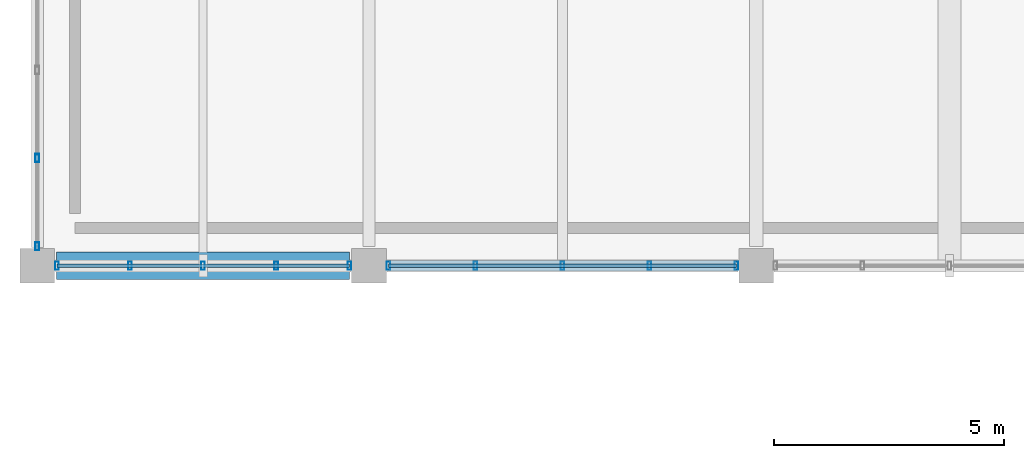
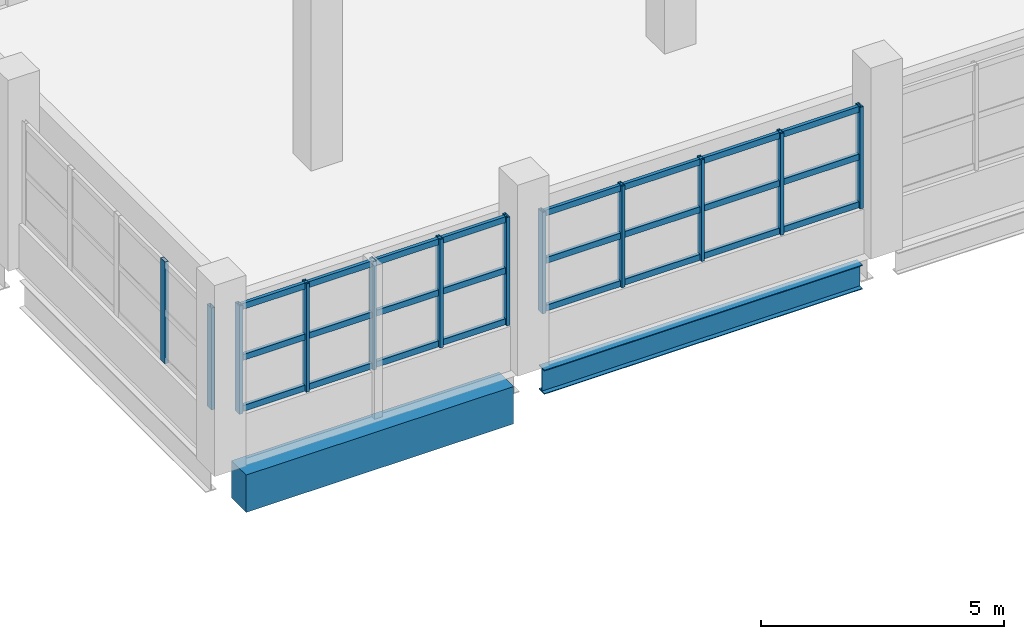
# One storey, part 30 of 117: 18 members, 2 beams, 3 elements without a shape of their own.
"""IFC4 building model written with IfcOpenShell, lengths in metres."""

from ifc_helpers import new_model, si_unit, direction, frame, origin, origin_2d, place, context, subcontext, project, spatial, rectangle, hollow_rectangle, i_section, extrude, material, material_profile, profile_set, type_object, element, aggregate, save


model = new_model("IFC4")

# Units and contexts
model_context = context("Model", 3, precision=1e-05, world=origin(), true_north=direction((0.0, 1.0)))
body_context = subcontext(model_context, "Body", "Model", "MODEL_VIEW")
ifc_project = project(units=[si_unit("LENGTHUNIT", "METRE"), si_unit("AREAUNIT", "SQUARE_METRE"), si_unit("VOLUMEUNIT", "CUBIC_METRE"), si_unit("PLANEANGLEUNIT", "RADIAN"), si_unit("MASSUNIT", "GRAM", prefix="KILO")], contexts=[model_context])

# Site, building, storey
site_placement = place(None, origin())
site = spatial("IfcSite", under=ifc_project, at=site_placement, CompositionType="ELEMENT")
building_placement = place(site_placement, origin())
building = spatial("IfcBuilding", under=site, at=building_placement, Name="Solvento Point Concert Hall", CompositionType="ELEMENT")
storey_placement = place(building_placement, frame((0.0, 0.0, 5.39990234375)))
storey = spatial("IfcBuildingStorey", under=building, at=storey_placement, Name="L01", CompositionType="ELEMENT", Elevation=5.39990234375)

# Beams
ifc_material_1 = material(Name="Structural Steel ASTM A992 Grade 50", Category="steel")
ifc_material_profile_1 = material_profile(ifc_material_1, i_section(OverallWidth=0.228515625, OverallDepth=0.60791015625, WebThickness=0.01123046875, FlangeThickness=0.017333984375, at=origin_2d()), Name="W24X76")
ifc_profile_set_1 = profile_set([ifc_material_profile_1], Name="Structural Steel ASTM A992 Grade 50")
beam_type_1 = type_object("IfcBeamType", Name="Beam_W24X76", PredefinedType="BEAM", material=ifc_profile_set_1)
beam_1_placement = place(storey_placement, frame((7.618896484375, 102.0, -0.587890625), z_axis=(1.0, 0.0, 0.0), x_axis=(0.0, 1.0, 0.0)))
element("IfcBeam", 1, at=beam_1_placement, inside=storey, type_object=beam_type_1, Name="Primary girder B-42 L01", PredefinedType="BEAM", context=body_context, shape_type="SweptSolid", body=[
    extrude(i_section(OverallWidth=0.228515625, OverallDepth=0.60791015625, WebThickness=0.01123046875, FlangeThickness=0.017333984375, at=origin_2d()), origin(), (0.0, 0.0, 1.0), 7.56201171875),
])
ifc_material_2 = material(Name="Concrete C35/45", Category="concrete")
ifc_material_profile_2 = material_profile(ifc_material_2, rectangle(XDim=0.60009765625, YDim=0.93994140625, at=origin_2d()), Name="RC-BM-600X940")
ifc_profile_set_2 = profile_set([ifc_material_profile_2], Name="Concrete C35/45")
beam_type_2 = type_object("IfcBeamType", Name="Girder_RC_600x940", PredefinedType="USERDEFINED", material=ifc_profile_set_2)
beam_2_placement = place(storey_placement, frame((0.4189453125, 102.0, -0.75390625), z_axis=(1.0, 0.0, 0.0), x_axis=(0.0, 1.0, 0.0)))
element("IfcBeam", 2, at=beam_2_placement, inside=storey, type_object=beam_type_2, Name="Primary girder B-34 L01", ObjectType="GIRDER", PredefinedType="USERDEFINED", context=body_context, shape_type="SweptSolid", body=[
    extrude(rectangle(XDim=0.60009765625, YDim=0.93994140625, at=origin_2d()), origin(), (0.0, 0.0, 1.0), 6.362060546875),
])

# Curtain wall, members
ifc_material_3 = material(Name="Anodized Bronze Aluminium", Category="aluminium")
curtain_wall_type = type_object("IfcCurtainWallType", Name="CurtainWall_CourtPilotis", PredefinedType="USERDEFINED", material=ifc_material_3)
curtain_wall_1_placement = place(storey_placement, origin())
curtain_wall_1 = element("IfcCurtainWall", 3, at=curtain_wall_1_placement, inside=storey, type_object=curtain_wall_type, Name="Unitised curtain wall CW-96 UCW-L01-119", ObjectType="UNITISED CURTAIN WALL", PredefinedType="USERDEFINED")
ifc_material_4 = material(Name="Anodized Bronze Aluminium", Category="aluminium")
ifc_material_profile_3 = material_profile(ifc_material_4, hollow_rectangle(XDim=0.080078125, YDim=0.179931640625, WallThickness=0.00390625, at=origin_2d()), Name="CW-MUL-80X180")
ifc_profile_set_3 = profile_set([ifc_material_profile_3], Name="Anodized Bronze Aluminium")
member_type_1 = type_object("IfcMemberType", Name="Mullion_80x180", PredefinedType="MULLION", material=ifc_profile_set_3)
member_1_placement = place(storey_placement, frame((0.0, 102.425048828125, 1.1201171875), z_axis=(0.0, 0.0, 1.0), x_axis=(1.0, 0.0, 0.0)))
member_1 = element("IfcMember", 4, at=member_1_placement, type_object=member_type_1, Name="Curtain wall mullion ML-01", PredefinedType="MULLION", context=body_context, shape_type="SweptSolid", body=[
    extrude(hollow_rectangle(XDim=0.080078125, YDim=0.179931640625, WallThickness=0.00390625, at=origin_2d()), origin(), (0.0, 0.0, 1.0), 2.56396484375),
])
member_2_placement = place(storey_placement, frame((0.0, 104.33740234375, 1.1201171875), z_axis=(0.0, 0.0, 1.0), x_axis=(1.0, 0.0, 0.0)))
member_2 = element("IfcMember", 5, at=member_2_placement, type_object=member_type_1, Name="Curtain wall mullion ML-01", PredefinedType="MULLION", context=body_context, shape_type="SweptSolid", body=[
    extrude(hollow_rectangle(XDim=0.080078125, YDim=0.179931640625, WallThickness=0.00390625, at=origin_2d()), origin(), (0.0, 0.0, 1.0), 2.56396484375),
])
aggregate(curtain_wall_1, [member_1, member_2])

curtain_wall_2_placement = place(storey_placement, origin())
curtain_wall_2 = element("IfcCurtainWall", 6, at=curtain_wall_2_placement, inside=storey, type_object=curtain_wall_type, Name="Unitised curtain wall CW-96 UCW-L01-142", ObjectType="UNITISED CURTAIN WALL", PredefinedType="USERDEFINED")
member_3_placement = place(storey_placement, frame((0.425048828125, 102.0, 1.1201171875), z_axis=(0.0, 0.0, 1.0), x_axis=(1.0, 0.0, 0.0)))
member_3 = element("IfcMember", 7, at=member_3_placement, type_object=member_type_1, Name="Curtain wall mullion ML-01", PredefinedType="MULLION", context=body_context, shape_type="SweptSolid", body=[
    extrude(hollow_rectangle(XDim=0.080078125, YDim=0.179931640625, WallThickness=0.00390625, at=origin_2d()), origin(), (0.0, 0.0, 1.0), 2.72607421875),
])
member_4_placement = place(storey_placement, frame((2.012451171875, 102.0, 1.1201171875), z_axis=(0.0, 0.0, 1.0), x_axis=(1.0, 0.0, 0.0)))
member_4 = element("IfcMember", 8, at=member_4_placement, type_object=member_type_1, Name="Curtain wall mullion ML-01", PredefinedType="MULLION", context=body_context, shape_type="SweptSolid", body=[
    extrude(hollow_rectangle(XDim=0.080078125, YDim=0.179931640625, WallThickness=0.00390625, at=origin_2d()), origin(), (0.0, 0.0, 1.0), 2.72607421875),
])
member_5_placement = place(storey_placement, frame((3.60009765625, 102.0, 1.1201171875), z_axis=(0.0, 0.0, 1.0), x_axis=(1.0, 0.0, 0.0)))
member_5 = element("IfcMember", 9, at=member_5_placement, type_object=member_type_1, Name="Curtain wall mullion ML-01", PredefinedType="MULLION", context=body_context, shape_type="SweptSolid", body=[
    extrude(hollow_rectangle(XDim=0.080078125, YDim=0.179931640625, WallThickness=0.00390625, at=origin_2d()), origin(), (0.0, 0.0, 1.0), 2.72607421875),
])
member_6_placement = place(storey_placement, frame((5.1875, 102.0, 1.1201171875), z_axis=(0.0, 0.0, 1.0), x_axis=(1.0, 0.0, 0.0)))
member_6 = element("IfcMember", 10, at=member_6_placement, type_object=member_type_1, Name="Curtain wall mullion ML-01", PredefinedType="MULLION", context=body_context, shape_type="SweptSolid", body=[
    extrude(hollow_rectangle(XDim=0.080078125, YDim=0.179931640625, WallThickness=0.00390625, at=origin_2d()), origin(), (0.0, 0.0, 1.0), 2.72607421875),
])
member_7_placement = place(storey_placement, frame((6.77490234375, 102.0, 1.1201171875), z_axis=(0.0, 0.0, 1.0), x_axis=(1.0, 0.0, 0.0)))
member_7 = element("IfcMember", 11, at=member_7_placement, type_object=member_type_1, Name="Curtain wall mullion ML-01", PredefinedType="MULLION", context=body_context, shape_type="SweptSolid", body=[
    extrude(hollow_rectangle(XDim=0.080078125, YDim=0.179931640625, WallThickness=0.00390625, at=origin_2d()), origin(), (0.0, 0.0, 1.0), 2.72607421875),
])

curtain_wall_3_placement = place(storey_placement, origin())
curtain_wall_3 = element("IfcCurtainWall", 12, at=curtain_wall_3_placement, inside=storey, type_object=curtain_wall_type, Name="Unitised curtain wall CW-96 UCW-L01-143", ObjectType="UNITISED CURTAIN WALL", PredefinedType="USERDEFINED")
member_8_placement = place(storey_placement, frame((7.625, 102.0, 1.1201171875), z_axis=(0.0, 0.0, 1.0), x_axis=(1.0, 0.0, 0.0)))
member_8 = element("IfcMember", 13, at=member_8_placement, type_object=member_type_1, Name="Curtain wall mullion ML-01", PredefinedType="MULLION", context=body_context, shape_type="SweptSolid", body=[
    extrude(hollow_rectangle(XDim=0.080078125, YDim=0.179931640625, WallThickness=0.00390625, at=origin_2d()), origin(), (0.0, 0.0, 1.0), 2.553955078125),
])
member_9_placement = place(storey_placement, frame((9.512451171875, 102.0, 1.1201171875), z_axis=(0.0, 0.0, 1.0), x_axis=(1.0, 0.0, 0.0)))
member_9 = element("IfcMember", 14, at=member_9_placement, type_object=member_type_1, Name="Curtain wall mullion ML-01", PredefinedType="MULLION", context=body_context, shape_type="SweptSolid", body=[
    extrude(hollow_rectangle(XDim=0.080078125, YDim=0.179931640625, WallThickness=0.00390625, at=origin_2d()), origin(), (0.0, 0.0, 1.0), 2.553955078125),
])
member_10_placement = place(storey_placement, frame((11.39990234375, 102.0, 1.1201171875), z_axis=(0.0, 0.0, 1.0), x_axis=(1.0, 0.0, 0.0)))
member_10 = element("IfcMember", 15, at=member_10_placement, type_object=member_type_1, Name="Curtain wall mullion ML-01", PredefinedType="MULLION", context=body_context, shape_type="SweptSolid", body=[
    extrude(hollow_rectangle(XDim=0.080078125, YDim=0.179931640625, WallThickness=0.00390625, at=origin_2d()), origin(), (0.0, 0.0, 1.0), 2.553955078125),
])
member_11_placement = place(storey_placement, frame((13.28759765625, 102.0, 1.1201171875), z_axis=(0.0, 0.0, 1.0), x_axis=(1.0, 0.0, 0.0)))
member_11 = element("IfcMember", 16, at=member_11_placement, type_object=member_type_1, Name="Curtain wall mullion ML-01", PredefinedType="MULLION", context=body_context, shape_type="SweptSolid", body=[
    extrude(hollow_rectangle(XDim=0.080078125, YDim=0.179931640625, WallThickness=0.00390625, at=origin_2d()), origin(), (0.0, 0.0, 1.0), 2.553955078125),
])
member_12_placement = place(storey_placement, frame((15.175048828125, 102.0, 1.1201171875), z_axis=(0.0, 0.0, 1.0), x_axis=(1.0, 0.0, 0.0)))
member_12 = element("IfcMember", 17, at=member_12_placement, type_object=member_type_1, Name="Curtain wall mullion ML-01", PredefinedType="MULLION", context=body_context, shape_type="SweptSolid", body=[
    extrude(hollow_rectangle(XDim=0.080078125, YDim=0.179931640625, WallThickness=0.00390625, at=origin_2d()), origin(), (0.0, 0.0, 1.0), 2.553955078125),
])

# Member
ifc_material_5 = material(Name="Anodized Bronze Aluminium", Category="aluminium")
ifc_material_profile_4 = material_profile(ifc_material_5, hollow_rectangle(XDim=0.080078125, YDim=0.14990234375, WallThickness=0.00390625, at=origin_2d()), Name="CW-TRN-80X150")
ifc_profile_set_4 = profile_set([ifc_material_profile_4], Name="Anodized Bronze Aluminium")
member_type_2 = type_object("IfcMemberType", Name="Transom_80x150", PredefinedType="USERDEFINED", material=ifc_profile_set_4)
member_13_placement = place(storey_placement, frame((0.425048828125, 102.0, 1.2001953125), z_axis=(1.0, 0.0, 0.0), x_axis=(0.0, 1.0, 0.0)))
member_13 = element("IfcMember", 18, at=member_13_placement, type_object=member_type_2, Name="Curtain wall transom TR-01", ObjectType="TRANSOM", PredefinedType="USERDEFINED", context=body_context, shape_type="SweptSolid", body=[
    extrude(hollow_rectangle(XDim=0.080078125, YDim=0.14990234375, WallThickness=0.00390625, at=origin_2d()), origin(), (0.0, 0.0, 1.0), 6.349853515625),
])

member_14_placement = place(storey_placement, frame((0.425048828125, 102.0, 2.483154296875), z_axis=(1.0, 0.0, 0.0), x_axis=(0.0, 1.0, 0.0)))
member_14 = element("IfcMember", 19, at=member_14_placement, type_object=member_type_2, Name="Curtain wall transom TR-01", ObjectType="TRANSOM", PredefinedType="USERDEFINED", context=body_context, shape_type="SweptSolid", body=[
    extrude(hollow_rectangle(XDim=0.080078125, YDim=0.14990234375, WallThickness=0.00390625, at=origin_2d()), origin(), (0.0, 0.0, 1.0), 6.349853515625),
])

member_15_placement = place(storey_placement, frame((0.425048828125, 102.0, 3.76611328125), z_axis=(1.0, 0.0, 0.0), x_axis=(0.0, 1.0, 0.0)))
member_15 = element("IfcMember", 20, at=member_15_placement, type_object=member_type_2, Name="Curtain wall transom TR-01", ObjectType="TRANSOM", PredefinedType="USERDEFINED", context=body_context, shape_type="SweptSolid", body=[
    extrude(hollow_rectangle(XDim=0.080078125, YDim=0.14990234375, WallThickness=0.00390625, at=origin_2d()), origin(), (0.0, 0.0, 1.0), 6.349853515625),
])

aggregate(curtain_wall_2, [member_3, member_4, member_5, member_6, member_7, member_13, member_14, member_15])

member_16_placement = place(storey_placement, frame((7.625, 102.0, 1.2001953125), z_axis=(1.0, 0.0, 0.0), x_axis=(0.0, 1.0, 0.0)))
member_16 = element("IfcMember", 21, at=member_16_placement, type_object=member_type_2, Name="Curtain wall transom TR-01", ObjectType="TRANSOM", PredefinedType="USERDEFINED", context=body_context, shape_type="SweptSolid", body=[
    extrude(hollow_rectangle(XDim=0.080078125, YDim=0.14990234375, WallThickness=0.00390625, at=origin_2d()), origin(), (0.0, 0.0, 1.0), 7.550048828125),
])

member_17_placement = place(storey_placement, frame((7.625, 102.0, 2.397216796875), z_axis=(1.0, 0.0, 0.0), x_axis=(0.0, 1.0, 0.0)))
member_17 = element("IfcMember", 22, at=member_17_placement, type_object=member_type_2, Name="Curtain wall transom TR-01", ObjectType="TRANSOM", PredefinedType="USERDEFINED", context=body_context, shape_type="SweptSolid", body=[
    extrude(hollow_rectangle(XDim=0.080078125, YDim=0.14990234375, WallThickness=0.00390625, at=origin_2d()), origin(), (0.0, 0.0, 1.0), 7.550048828125),
])

member_18_placement = place(storey_placement, frame((7.625, 102.0, 3.593994140625), z_axis=(1.0, 0.0, 0.0), x_axis=(0.0, 1.0, 0.0)))
member_18 = element("IfcMember", 23, at=member_18_placement, type_object=member_type_2, Name="Curtain wall transom TR-01", ObjectType="TRANSOM", PredefinedType="USERDEFINED", context=body_context, shape_type="SweptSolid", body=[
    extrude(hollow_rectangle(XDim=0.080078125, YDim=0.14990234375, WallThickness=0.00390625, at=origin_2d()), origin(), (0.0, 0.0, 1.0), 7.550048828125),
])

aggregate(curtain_wall_3, [member_8, member_9, member_10, member_11, member_12, member_16, member_17, member_18])

save(model, "model.ifc")
